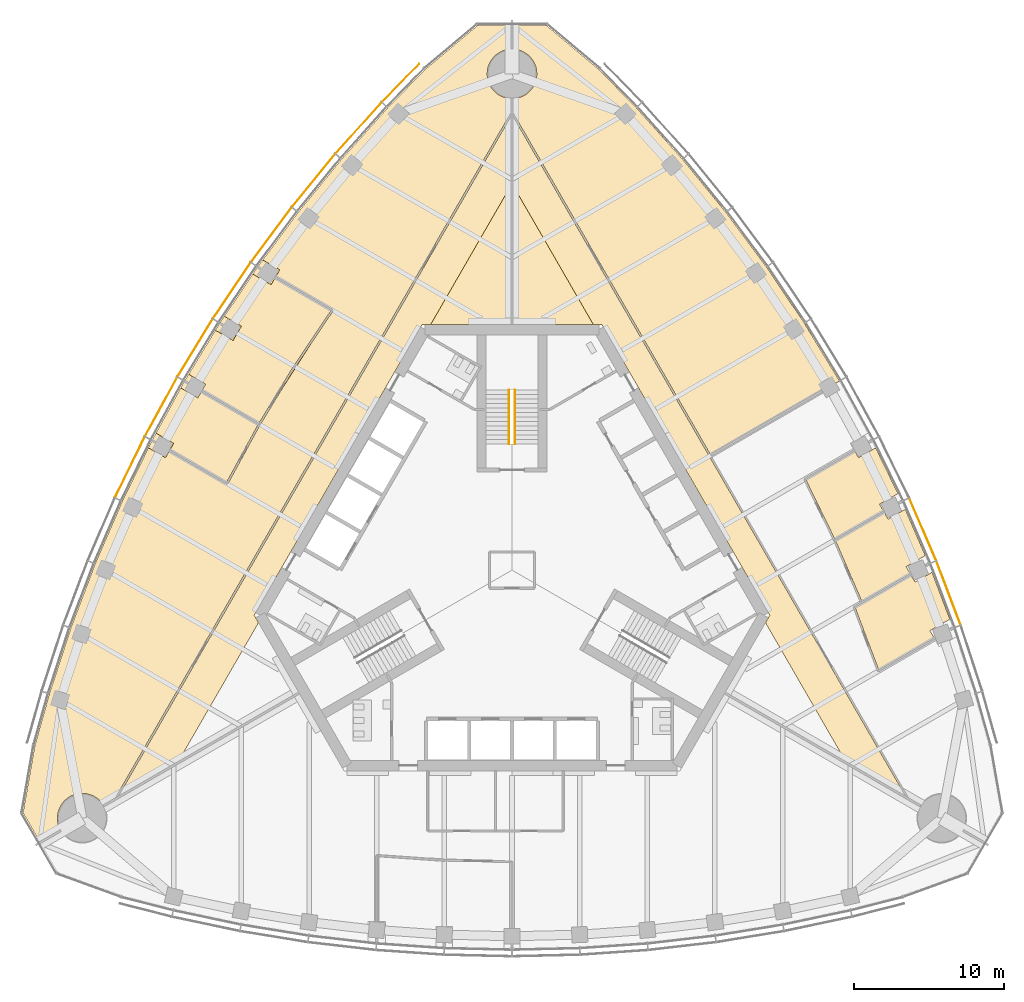
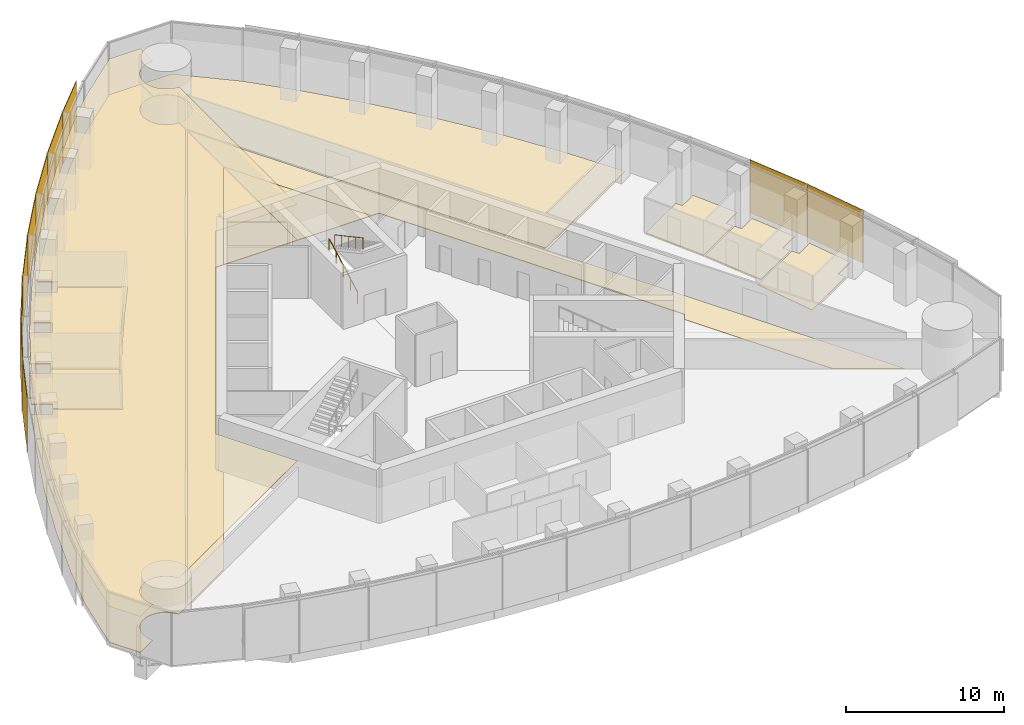
# One storey, part 16 of 19: 12 coverings, 10 shading devices, 2 railings.
"""IFC4 building model written with IfcOpenShell, lengths in metres."""

from ifc_helpers import new_model, si_unit, direction, frame, origin, origin_2d, place, context, subcontext, project, spatial, polyline, rectangle, circle, outline, extrude, material, layer, layer_set, type_object, element, save


model = new_model("IFC4")

# Units and contexts
model_context = context("Model", 3, precision=1e-05, world=origin(), true_north=direction((0.0, 1.0)))
body_context = subcontext(model_context, "Body", "Model", "MODEL_VIEW")
ifc_project = project(units=[si_unit("LENGTHUNIT", "METRE"), si_unit("AREAUNIT", "SQUARE_METRE"), si_unit("VOLUMEUNIT", "CUBIC_METRE"), si_unit("PLANEANGLEUNIT", "RADIAN"), si_unit("MASSUNIT", "GRAM", prefix="KILO")], contexts=[model_context])

# Site, building, storey
site_placement = place(None, origin())
site = spatial("IfcSite", under=ifc_project, at=site_placement, CompositionType="ELEMENT")
building_placement = place(site_placement, origin())
building = spatial("IfcBuilding", under=site, at=building_placement, Name="Trefoil Bronze Tower", CompositionType="ELEMENT")
storey_placement = place(building_placement, frame((0.0, 0.0, 240.10009765625)))
storey = spatial("IfcBuildingStorey", under=building, at=storey_placement, Name="L55", CompositionType="ELEMENT", Elevation=240.10009765625)

# Shading devices
ifc_material_1 = material(Name="Perforated bronze sheet", Category="bronze")
ifc_layer_1 = layer(ifc_material_1, 0.0400390625)
ifc_layer_set_1 = layer_set([ifc_layer_1], Name="Bronze solar screen panel")
shading_device_type = type_object("IfcShadingDeviceType", Name="Bronze solar screen panel", PredefinedType="SHUTTER", material=ifc_layer_set_1)
shading_device_1_placement = place(storey_placement, frame((29.0341796875, -1.52392578125, 0.0498046875), z_axis=(0.0, 0.0, 1.0), x_axis=(-0.354233936517, 0.935156841508, 0.0)))
element("IfcShadingDevice", 1, at=shading_device_1_placement, inside=storey, type_object=shading_device_type, Name="Solar screen CW-A L55 F2 bay 3", PredefinedType="SHUTTER", context=body_context, shape_type="SweptSolid", body=[
    extrude(rectangle(XDim=4.529296875, YDim=0.0400390625, at=origin_2d()), origin(), (0.0, 0.0, 1.0), 4.10009765625),
])
shading_device_2_placement = place(storey_placement, frame((27.317626953125, 2.709716796875, 0.0498046875), z_axis=(0.0, 0.0, 1.0), x_axis=(-0.397220305764, 0.917723285467, 0.0)))
element("IfcShadingDevice", 2, at=shading_device_2_placement, inside=storey, type_object=shading_device_type, Name="Solar screen CW-A L55 F2 bay 4", PredefinedType="SHUTTER", context=body_context, shape_type="SweptSolid", body=[
    extrude(rectangle(XDim=4.5, YDim=0.0400390625, at=origin_2d()), origin(), (0.0, 0.0, 1.0), 4.10009765625),
])
shading_device_3_placement = place(storey_placement, frame((-7.40478515625, 32.40380859375, 0.0498046875), z_axis=(0.0, 0.0, 1.0), x_axis=(-0.698651812425, -0.715461840349, 0.0)))
element("IfcShadingDevice", 3, at=shading_device_3_placement, inside=storey, type_object=shading_device_type, Name="Solar screen CW-A L55 F3 bay 1", PredefinedType="SHUTTER", context=body_context, shape_type="SweptSolid", body=[
    extrude(rectangle(XDim=3.53369140625, YDim=0.0400390625, at=origin_2d()), origin(), (0.0, 0.0, 1.0), 4.10009765625),
])
shading_device_4_placement = place(storey_placement, frame((-10.20166015625, 29.401611328125, 0.0498046875), z_axis=(0.0, 0.0, 1.0), x_axis=(-0.668245744076, -0.743940606181, 0.0)))
element("IfcShadingDevice", 4, at=shading_device_4_placement, inside=storey, type_object=shading_device_type, Name="Solar screen CW-A L55 F3 bay 2", PredefinedType="SHUTTER", context=body_context, shape_type="SweptSolid", body=[
    extrude(rectangle(XDim=4.5693359375, YDim=0.0400390625, at=origin_2d()), origin(), (0.0, 0.0, 1.0), 4.10009765625),
])
shading_device_5_placement = place(storey_placement, frame((-13.197509765625, 25.90625, 0.0498046875), z_axis=(0.0, 0.0, 1.0), x_axis=(-0.63275261301, -0.774354008661, 0.0)))
element("IfcShadingDevice", 5, at=shading_device_5_placement, inside=storey, type_object=shading_device_type, Name="Solar screen CW-A L55 F3 bay 3", PredefinedType="SHUTTER", context=body_context, shape_type="SweptSolid", body=[
    extrude(rectangle(XDim=4.529296875, YDim=0.0400390625, at=origin_2d()), origin(), (0.0, 0.0, 1.0), 4.10009765625),
])
shading_device_6_placement = place(storey_placement, frame((-16.005615234375, 22.302734375, 0.0498046875), z_axis=(0.0, 0.0, 1.0), x_axis=(-0.596161525977, -0.802864518425, 0.0)))
element("IfcShadingDevice", 6, at=shading_device_6_placement, inside=storey, type_object=shading_device_type, Name="Solar screen CW-A L55 F3 bay 4", PredefinedType="SHUTTER", context=body_context, shape_type="SweptSolid", body=[
    extrude(rectangle(XDim=4.5, YDim=0.0400390625, at=origin_2d()), origin(), (0.0, 0.0, 1.0), 4.10009765625),
])
shading_device_7_placement = place(storey_placement, frame((-18.6298828125, 18.59326171875, 0.0498046875), z_axis=(0.0, 0.0, 1.0), x_axis=(-0.558493494706, -0.829508900718, 0.0)))
element("IfcShadingDevice", 7, at=shading_device_7_placement, inside=storey, type_object=shading_device_type, Name="Solar screen CW-A L55 F3 bay 5", PredefinedType="SHUTTER", context=body_context, shape_type="SweptSolid", body=[
    extrude(rectangle(XDim=4.480712890625, YDim=0.0400390625, at=origin_2d()), origin(), (0.0, 0.0, 1.0), 4.10009765625),
])
for number, where, z_axis, x_axis, name in (
    (8, (-21.07275390625, 14.77880859375, 0.0498046875), (0.0, 0.0, 1.0), (-0.519762112739, -0.854311035959, 0.0), "Solar screen CW-A L55 F3 bay 6"),
    (9, (-23.3349609375, 10.860107421875, 0.0498046875), (0.0, 0.0, 1.0), (-0.479974003504, -0.877282711536, 0.0), "Solar screen CW-A L55 F3 bay 7"),
):
    element("IfcShadingDevice", number, at=place(storey_placement, frame(where, z_axis=z_axis, x_axis=x_axis)), inside=storey, type_object=shading_device_type, Name=name, PredefinedType="SHUTTER", context=body_context, shape_type="SweptSolid", body=[
        extrude(rectangle(XDim=4.47119140625, YDim=0.0400390625, at=origin_2d()), origin(), (0.0, 0.0, 1.0), 4.10009765625),
    ])
shading_device_8_placement = place(storey_placement, frame((-25.4169921875, 6.83740234375, 0.0498046875), z_axis=(0.0, 0.0, 1.0), x_axis=(-0.439129033334, -0.898424004623, 0.0)))
element("IfcShadingDevice", 10, at=shading_device_8_placement, inside=storey, type_object=shading_device_type, Name="Solar screen CW-A L55 F3 bay 8", PredefinedType="SHUTTER", context=body_context, shape_type="SweptSolid", body=[
    extrude(rectangle(XDim=4.480712890625, YDim=0.0400390625, at=origin_2d()), origin(), (0.0, 0.0, 1.0), 4.10009765625),
])

# Railings
ifc_material_2 = material(Name="Steel handrail", Category="steel")
railing_type = type_object("IfcRailingType", Name="Handrail 900", PredefinedType="HANDRAIL", material=ifc_material_2)
railing_1_placement = place(storey_placement, frame((-0.199951171875, 8.389892578125, 0.161376953125)))
element("IfcRailing", 11, at=railing_1_placement, inside=storey, type_object=railing_type, Name="Handrail ST2 flight 1 L55", PredefinedType="HANDRAIL", context=body_context, shape_type="SweptSolid", body=[
    extrude(circle(Radius=0.02392578125, at=origin_2d()), frame((0.0, 0.0, 0.8759765625), z_axis=(0.0, 0.880474934443, 0.474092701714), x_axis=(-1.0, 0.0, 0.0)), (0.0, 0.0, 1.0), 4.0888671875),
    extrude(circle(Radius=0.02099609375, at=origin_2d()), origin(), (0.0, 0.0, 1.0), 0.851806640625),
    extrude(circle(Radius=0.02099609375, at=origin_2d()), frame((0.0, 0.89990234375, 0.484619140625)), (0.0, 0.0, 1.0), 0.851806640625),
    extrude(circle(Radius=0.02099609375, at=origin_2d()), frame((0.0, 1.800048828125, 0.96923828125)), (0.0, 0.0, 1.0), 0.851806640625),
    extrude(circle(Radius=0.02099609375, at=origin_2d()), frame((0.0, 2.7001953125, 1.453857421875)), (0.0, 0.0, 1.0), 0.851806640625),
    extrude(circle(Radius=0.02099609375, at=origin_2d()), frame((0.0, 3.60009765625, 1.9384765625)), (0.0, 0.0, 1.0), 0.851806640625),
])
railing_2_placement = place(storey_placement, frame((0.199951171875, 11.989990234375, 2.261474609375)))
element("IfcRailing", 12, at=railing_2_placement, inside=storey, type_object=railing_type, Name="Handrail ST2 flight 2 L55", PredefinedType="HANDRAIL", context=body_context, shape_type="SweptSolid", body=[
    extrude(circle(Radius=0.02392578125, at=origin_2d()), frame((0.0, 0.0, 0.8759765625), z_axis=(0.0, -0.880474934443, 0.474092701714), x_axis=(1.0, 0.0, 0.0)), (0.0, 0.0, 1.0), 4.0888671875),
    extrude(circle(Radius=0.02099609375, at=origin_2d()), origin(), (0.0, 0.0, 1.0), 0.851806640625),
    extrude(circle(Radius=0.02099609375, at=origin_2d()), frame((0.0, -0.89990234375, 0.484619140625)), (0.0, 0.0, 1.0), 0.851806640625),
    extrude(circle(Radius=0.02099609375, at=origin_2d()), frame((0.0, -1.800048828125, 0.96923828125)), (0.0, 0.0, 1.0), 0.851806640625),
    extrude(circle(Radius=0.02099609375, at=origin_2d()), frame((0.0, -2.7001953125, 1.453857421875)), (0.0, 0.0, 1.0), 0.851806640625),
    extrude(circle(Radius=0.02099609375, at=origin_2d()), frame((0.0, -3.60009765625, 1.9384765625)), (0.0, 0.0, 1.0), 0.851806640625),
])

# Coverings
ifc_material_3 = material(Name="Acoustic ceiling panels", Category="mineral fibre")
ifc_layer_2 = layer(ifc_material_3, 0.02001953125)
ifc_layer_set_2 = layer_set([ifc_layer_2], Name="Office ceiling 20")
covering_type_1 = type_object("IfcCoveringType", Name="Office ceiling 20", PredefinedType="CEILING", material=ifc_layer_set_2)
covering_1_placement = place(storey_placement, frame((0.0, 0.0, 2.89990234375)))
element("IfcCovering", 13, at=covering_1_placement, inside=storey, type_object=covering_type_1, Name="Ceiling L55 Studio F3", PredefinedType="CEILING", context=body_context, shape_type="SweptSolid", body=[
    extrude(outline(polyline([(-30.76318359375, -8.219482421875), (-29.3369140625, -3.846923828125), (-27.7216796875, 0.416748046875), (-25.92236328125, 4.573974609375), (-23.94140625, 8.62646484375), (-21.781005859375, 12.5751953125), (-19.44140625, 16.420654296875), (-16.92236328125, 20.162353515625), (-14.2216796875, 23.79931640625), (-11.3369140625, 27.329833984375), (-8.26318359375, 30.751708984375), (-5.7734375, 33.30126953125), (-2.280029296875, 36.232666015625), (-0.013671875, 36.232666015625), (-0.012939453125, 34.649658203125), (-0.0810546875, 34.64794921875), (-0.16162109375, 34.64208984375), (-0.2421875, 34.632080078125), (-0.322021484375, 34.618408203125), (-0.40087890625, 34.6005859375), (-0.47900390625, 34.5791015625), (-0.555908203125, 34.553466796875), (-0.63134765625, 34.5244140625), (-0.70556640625, 34.49169921875), (-0.77783203125, 34.455078125), (-0.848388671875, 34.415283203125), (-0.916748046875, 34.371826171875), (-0.98291015625, 34.3251953125), (-1.046630859375, 34.275390625), (-1.108154296875, 34.22265625), (-1.166748046875, 34.166748046875), (-1.22265625, 34.108154296875), (-1.275390625, 34.046630859375), (-1.3251953125, 33.98291015625), (-1.371826171875, 33.916748046875), (-1.415283203125, 33.848388671875), (-1.455078125, 33.77783203125), (-1.49169921875, 33.70556640625), (-1.5244140625, 33.63134765625), (-1.553466796875, 33.555908203125), (-1.5791015625, 33.47900390625), (-1.6005859375, 33.40087890625), (-1.618408203125, 33.322021484375), (-1.632080078125, 33.2421875), (-1.64208984375, 33.16162109375), (-1.64794921875, 33.0810546875), (-1.64990234375, 33.0), (-1.64794921875, 32.9189453125), (-1.64208984375, 32.83837890625), (-1.632080078125, 32.7578125), (-1.618408203125, 32.677978515625), (-1.6005859375, 32.59912109375), (-1.5791015625, 32.52099609375), (-1.553466796875, 32.444091796875), (-1.5244140625, 32.36865234375), (-1.49169921875, 32.29443359375), (-1.455078125, 32.22216796875), (-1.415283203125, 32.151611328125), (-1.371826171875, 32.083251953125), (-1.3251953125, 32.01708984375), (-1.275390625, 31.953369140625), (-1.22265625, 31.891845703125), (-1.166748046875, 31.833251953125), (-1.108154296875, 31.77734375), (-1.046630859375, 31.724609375), (-0.98291015625, 31.6748046875), (-0.916748046875, 31.628173828125), (-0.848388671875, 31.584716796875), (-0.77783203125, 31.544921875), (-0.70556640625, 31.50830078125), (-0.63134765625, 31.4755859375), (-0.555908203125, 31.446533203125), (-0.47900390625, 31.4208984375), (-0.40087890625, 31.3994140625), (-0.322021484375, 31.381591796875), (-0.2421875, 31.367919921875), (-0.16162109375, 31.35791015625), (-0.0810546875, 31.35205078125), (-0.01171875, 31.350341796875), (-0.006103515625, 16.35009765625), (-5.9755859375, 16.35009765625), (-17.147216796875, -3.0), (-14.16259765625, -8.169677734375), (-27.156005859375, -15.6650390625), (-27.206787109375, -15.583251953125), (-27.25341796875, -15.51708984375), (-27.303466796875, -15.453369140625), (-27.356201171875, -15.391845703125), (-27.412109375, -15.333251953125), (-27.470703125, -15.27734375), (-27.531982421875, -15.224609375), (-27.595947265625, -15.1748046875), (-27.662109375, -15.128173828125), (-27.730712890625, -15.084716796875), (-27.801025390625, -15.044921875), (-27.873291015625, -15.00830078125), (-27.947509765625, -14.9755859375), (-28.02294921875, -14.946533203125), (-28.099853515625, -14.9208984375), (-28.177978515625, -14.8994140625), (-28.2568359375, -14.881591796875), (-28.336669921875, -14.867919921875), (-28.4169921875, -14.85791015625), (-28.497802734375, -14.85205078125), (-28.578857421875, -14.85009765625), (-28.659912109375, -14.85205078125), (-28.740478515625, -14.85791015625), (-28.82080078125, -14.867919921875), (-28.900634765625, -14.881591796875), (-28.979736328125, -14.8994140625), (-29.057861328125, -14.9208984375), (-29.134765625, -14.946533203125), (-29.210205078125, -14.9755859375), (-29.2841796875, -15.00830078125), (-29.356689453125, -15.044921875), (-29.427001953125, -15.084716796875), (-29.49560546875, -15.128173828125), (-29.561767578125, -15.1748046875), (-29.62548828125, -15.224609375), (-29.68701171875, -15.27734375), (-29.74560546875, -15.333251953125), (-29.801513671875, -15.391845703125), (-29.854248046875, -15.453369140625), (-29.904052734375, -15.51708984375), (-29.95068359375, -15.583251953125), (-29.994140625, -15.651611328125), (-30.033935546875, -15.72216796875), (-30.0703125, -15.79443359375), (-30.103271484375, -15.86865234375), (-30.13232421875, -15.944091796875), (-30.15771484375, -16.02099609375), (-30.179443359375, -16.09912109375), (-30.197021484375, -16.177978515625), (-30.2109375, -16.2578125), (-30.220947265625, -16.33837890625), (-30.226806640625, -16.4189453125), (-30.228759765625, -16.5), (-30.226806640625, -16.5810546875), (-30.220947265625, -16.66162109375), (-30.2109375, -16.7421875), (-30.197021484375, -16.822021484375), (-30.179443359375, -16.90087890625), (-30.15771484375, -16.97900390625), (-30.13232421875, -17.055908203125), (-30.103271484375, -17.13134765625), (-30.0703125, -17.20556640625), (-30.033935546875, -17.27783203125), (-30.013916015625, -17.3134765625), (-31.385009765625, -18.1044921875), (-32.518310546875, -16.1416015625), (-31.7265625, -11.650634765625), (-30.76318359375, -8.219482421875)])), origin(), (0.0, 0.0, 1.0), 0.02001953125),
])
ifc_material_4 = material(Name="Raised access floor panels", Category="steel")
ifc_layer_3 = layer(ifc_material_4, 0.050048828125)
ifc_layer_set_3 = layer_set([ifc_layer_3], Name="Raised access floor 150")
covering_type_2 = type_object("IfcCoveringType", Name="Raised access floor 150", PredefinedType="FLOORING", material=ifc_layer_set_3)
covering_2_placement = place(storey_placement, frame((0.0, 0.0, 0.099853515625)))
element("IfcCovering", 14, at=covering_2_placement, inside=storey, type_object=covering_type_2, Name="Raised floor L55 Project room F2", PredefinedType="FLOORING", context=body_context, shape_type="SweptSolid", body=[
    extrude(outline(polyline([(24.701171875, 3.938232421875), (21.46630859375, 2.070556640625), (19.538330078125, 6.014892578125), (22.796875, 7.896240234375), (22.766845703125, 7.9482421875), (22.77197265625, 7.951416015625), (23.046875, 7.475341796875), (24.18359375, 8.131591796875), (25.67041015625, 5.089111328125), (24.445068359375, 4.381591796875), (24.701171875, 3.938232421875)])), origin(), (0.0, 0.0, 1.0), 0.050048828125),
])
covering_3_placement = place(storey_placement, frame((0.0, 0.0, 0.099853515625)))
element("IfcCovering", 15, at=covering_3_placement, inside=storey, type_object=covering_type_2, Name="Raised floor L55 Project room F2", PredefinedType="FLOORING", context=body_context, shape_type="SweptSolid", body=[
    extrude(outline(polyline([(26.478271484375, -0.23193359375), (23.268310546875, -2.085205078125), (21.51708984375, 1.961181640625), (24.760986328125, 3.834228515625), (25.01708984375, 3.390625), (26.151123046875, 4.04541015625), (27.484375, 0.965087890625), (26.21142578125, 0.22998046875), (26.478271484375, -0.23193359375)])), origin(), (0.0, 0.0, 1.0), 0.050048828125),
])
covering_4_placement = place(storey_placement, frame((0.0, 0.0, 0.099853515625)))
element("IfcCovering", 16, at=covering_4_placement, inside=storey, type_object=covering_type_2, Name="Raised floor L55 Meeting room F2", PredefinedType="FLOORING", context=body_context, shape_type="SweptSolid", body=[
    extrude(outline(polyline([(28.070556640625, -4.5087890625), (24.38818359375, -6.634765625), (22.81640625, -2.48486328125), (26.5380859375, -0.3359375), (26.804931640625, -0.7978515625), (27.934814453125, -0.1455078125), (29.116455078125, -3.265380859375), (27.793701171875, -4.029296875), (28.070556640625, -4.5087890625)])), origin(), (0.0, 0.0, 1.0), 0.050048828125),
])
covering_5_placement = place(storey_placement, frame((0.0, 0.0, 0.099853515625)))
element("IfcCovering", 17, at=covering_5_placement, inside=storey, type_object=covering_type_2, Name="Raised floor L55 Corridor F2", PredefinedType="FLOORING", context=body_context, shape_type="SweptSolid", body=[
    extrude(outline(polyline([(0.011474609375, 30.2802734375), (26.229248046875, -15.13037109375), (22.247314453125, -12.833251953125), (16.858642578125, -3.5), (17.147216796875, -3.0), (5.9755859375, 16.35009765625), (5.398193359375, 16.35009765625), (0.009521484375, 25.683349609375), (0.011474609375, 30.2802734375)])), origin(), (0.0, 0.0, 1.0), 0.050048828125),
])
covering_6_placement = place(storey_placement, frame((0.0, 0.0, 0.099853515625)))
element("IfcCovering", 18, at=covering_6_placement, inside=storey, type_object=covering_type_2, Name="Raised floor L55 Studio F2", PredefinedType="FLOORING", context=body_context, shape_type="SweptSolid", body=[
    extrude(outline(polyline([(11.3369140625, 27.329833984375), (14.2216796875, 23.79931640625), (16.92236328125, 20.162353515625), (19.44140625, 16.420654296875), (21.780517578125, 12.576171875), (20.607177734375, 11.898681640625), (20.570068359375, 11.962890625), (13.186767578125, 7.699951171875), (0.068359375, 30.421630859375), (0.011474609375, 30.388671875), (0.01171875, 31.350341796875), (0.0810546875, 31.35205078125), (0.16162109375, 31.35791015625), (0.2421875, 31.367919921875), (0.322021484375, 31.381591796875), (0.40087890625, 31.3994140625), (0.47900390625, 31.4208984375), (0.555908203125, 31.446533203125), (0.63134765625, 31.4755859375), (0.70556640625, 31.50830078125), (0.77783203125, 31.544921875), (0.848388671875, 31.584716796875), (0.916748046875, 31.628173828125), (0.98291015625, 31.6748046875), (1.046630859375, 31.724609375), (1.108154296875, 31.77734375), (1.166748046875, 31.833251953125), (1.22265625, 31.891845703125), (1.275390625, 31.953369140625), (1.3251953125, 32.01708984375), (1.371826171875, 32.083251953125), (1.415283203125, 32.151611328125), (1.455078125, 32.22216796875), (1.49169921875, 32.29443359375), (1.5244140625, 32.36865234375), (1.553466796875, 32.444091796875), (1.5791015625, 32.52099609375), (1.6005859375, 32.59912109375), (1.618408203125, 32.677978515625), (1.632080078125, 32.7578125), (1.64208984375, 32.83837890625), (1.64794921875, 32.9189453125), (1.64990234375, 33.0), (1.64794921875, 33.0810546875), (1.64208984375, 33.16162109375), (1.632080078125, 33.2421875), (1.618408203125, 33.322021484375), (1.6005859375, 33.40087890625), (1.5791015625, 33.47900390625), (1.553466796875, 33.555908203125), (1.5244140625, 33.63134765625), (1.49169921875, 33.70556640625), (1.455078125, 33.77783203125), (1.415283203125, 33.848388671875), (1.371826171875, 33.916748046875), (1.3251953125, 33.98291015625), (1.275390625, 34.046630859375), (1.22265625, 34.108154296875), (1.166748046875, 34.166748046875), (1.108154296875, 34.22265625), (1.046630859375, 34.275390625), (0.98291015625, 34.3251953125), (0.916748046875, 34.371826171875), (0.848388671875, 34.415283203125), (0.77783203125, 34.455078125), (0.70556640625, 34.49169921875), (0.63134765625, 34.5244140625), (0.555908203125, 34.553466796875), (0.47900390625, 34.5791015625), (0.40087890625, 34.6005859375), (0.322021484375, 34.618408203125), (0.2421875, 34.632080078125), (0.16162109375, 34.64208984375), (0.0810546875, 34.64794921875), (0.012939453125, 34.649658203125), (0.013671875, 36.232666015625), (2.280029296875, 36.232666015625), (5.7734375, 33.30126953125), (8.26318359375, 30.751708984375), (11.3369140625, 27.329833984375)])), origin(), (0.0, 0.0, 1.0), 0.050048828125),
])
covering_7_placement = place(storey_placement, frame((0.0, 0.0, 0.099853515625)))
element("IfcCovering", 19, at=covering_7_placement, inside=storey, type_object=covering_type_2, Name="Raised floor L55 Studio F2", PredefinedType="FLOORING", context=body_context, shape_type="SweptSolid", body=[
    extrude(outline(polyline([(0.009521484375, 25.683349609375), (5.398193359375, 16.35009765625), (0.006103515625, 16.35009765625), (0.009521484375, 25.683349609375)])), origin(), (0.0, 0.0, 1.0), 0.050048828125),
])
covering_8_placement = place(storey_placement, frame((0.0, 0.0, 0.099853515625)))
element("IfcCovering", 20, at=covering_8_placement, inside=storey, type_object=covering_type_2, Name="Raised floor L55 Prototyping room F3", PredefinedType="FLOORING", context=body_context, shape_type="SweptSolid", body=[
    extrude(outline(polyline([(-19.727294921875, 15.951171875), (-18.546875, 15.26953125), (-17.997314453125, 16.221435546875), (-19.1337890625, 16.877685546875), (-17.24267578125, 19.686767578125), (-16.01708984375, 18.979248046875), (-15.760986328125, 19.422607421875), (-12.0283203125, 17.267578125), (-14.51171875, 13.5791015625), (-14.4619140625, 13.545654296875), (-14.51318359375, 13.576904296875), (-16.822265625, 9.781494140625), (-20.57763671875, 11.94970703125), (-20.607666015625, 11.897705078125), (-20.6328125, 11.912353515625), (-20.36962890625, 12.367919921875), (-21.507568359375, 13.02490234375), (-19.727294921875, 15.951171875)])), origin(), (0.0, 0.0, 1.0), 0.050048828125),
])
covering_9_placement = place(storey_placement, frame((0.0, 0.0, 0.099853515625)))
element("IfcCovering", 21, at=covering_9_placement, inside=storey, type_object=covering_type_2, Name="Raised floor L55 Meeting room F3", PredefinedType="FLOORING", context=body_context, shape_type="SweptSolid", body=[
    extrude(outline(polyline([(-20.607666015625, 11.897705078125), (-20.6376953125, 11.845947265625), (-16.882080078125, 9.677734375), (-18.985107421875, 5.834228515625), (-22.73681640625, 8.000244140625), (-22.766845703125, 7.9482421875), (-22.77197265625, 7.951416015625), (-22.497314453125, 8.42724609375), (-23.677734375, 9.10888671875), (-22.03369140625, 12.11376953125), (-20.895751953125, 11.456787109375), (-20.6328125, 11.912353515625), (-20.607666015625, 11.897705078125)])), origin(), (0.0, 0.0, 1.0), 0.050048828125),
])
covering_10_placement = place(storey_placement, frame((0.0, 0.0, 0.099853515625)))
element("IfcCovering", 22, at=covering_10_placement, inside=storey, type_object=covering_type_2, Name="Raised floor L55 Corridor F3", PredefinedType="FLOORING", context=body_context, shape_type="SweptSolid", body=[
    extrude(outline(polyline([(-26.229248046875, -15.13037109375), (-0.011474609375, 30.2802734375), (-0.009521484375, 25.683349609375), (-5.398193359375, 16.35009765625), (-5.9755859375, 16.35009765625), (-17.147216796875, -3.0), (-16.858642578125, -3.5), (-22.247314453125, -12.833251953125), (-26.229248046875, -15.13037109375)])), origin(), (0.0, 0.0, 1.0), 0.050048828125),
])
covering_11_placement = place(storey_placement, frame((0.0, 0.0, 0.099853515625)))
element("IfcCovering", 23, at=covering_11_placement, inside=storey, type_object=covering_type_2, Name="Raised floor L55 Studio F3", PredefinedType="FLOORING", context=body_context, shape_type="SweptSolid", body=[
    extrude(outline(polyline([(-27.7216796875, 0.416748046875), (-25.92236328125, 4.573974609375), (-24.18359375, 8.131591796875), (-23.046875, 7.475341796875), (-22.77197265625, 7.951416015625), (-22.766845703125, 7.9482421875), (-22.796875, 7.896240234375), (-18.991943359375, 5.699462890625), (-18.9619140625, 5.75146484375), (-18.9091796875, 5.72265625), (-16.74951171875, 9.67041015625), (-15.395751953125, 11.895263671875), (-13.351318359375, 15.087890625), (-11.892822265625, 17.25390625), (-11.942626953125, 17.287353515625), (-11.91259765625, 17.33935546875), (-15.701171875, 19.526611328125), (-15.445068359375, 19.97021484375), (-16.5791015625, 20.624755859375), (-14.2216796875, 23.79931640625), (-11.3369140625, 27.329833984375), (-8.26318359375, 30.751708984375), (-5.7734375, 33.30126953125), (-2.280029296875, 36.232666015625), (-0.013671875, 36.232666015625), (-0.012939453125, 34.649658203125), (-0.0810546875, 34.64794921875), (-0.16162109375, 34.64208984375), (-0.2421875, 34.632080078125), (-0.322021484375, 34.618408203125), (-0.40087890625, 34.6005859375), (-0.47900390625, 34.5791015625), (-0.555908203125, 34.553466796875), (-0.63134765625, 34.5244140625), (-0.70556640625, 34.49169921875), (-0.77783203125, 34.455078125), (-0.848388671875, 34.415283203125), (-0.916748046875, 34.371826171875), (-0.98291015625, 34.3251953125), (-1.046630859375, 34.275390625), (-1.108154296875, 34.22265625), (-1.166748046875, 34.166748046875), (-1.22265625, 34.108154296875), (-1.275390625, 34.046630859375), (-1.3251953125, 33.98291015625), (-1.371826171875, 33.916748046875), (-1.415283203125, 33.848388671875), (-1.455078125, 33.77783203125), (-1.49169921875, 33.70556640625), (-1.5244140625, 33.63134765625), (-1.553466796875, 33.555908203125), (-1.5791015625, 33.47900390625), (-1.6005859375, 33.40087890625), (-1.618408203125, 33.322021484375), (-1.632080078125, 33.2421875), (-1.64208984375, 33.16162109375), (-1.64794921875, 33.0810546875), (-1.64990234375, 33.0), (-1.64794921875, 32.9189453125), (-1.64208984375, 32.83837890625), (-1.632080078125, 32.7578125), (-1.618408203125, 32.677978515625), (-1.6005859375, 32.59912109375), (-1.5791015625, 32.52099609375), (-1.553466796875, 32.444091796875), (-1.5244140625, 32.36865234375), (-1.49169921875, 32.29443359375), (-1.455078125, 32.22216796875), (-1.415283203125, 32.151611328125), (-1.371826171875, 32.083251953125), (-1.3251953125, 32.01708984375), (-1.275390625, 31.953369140625), (-1.22265625, 31.891845703125), (-1.166748046875, 31.833251953125), (-1.108154296875, 31.77734375), (-1.046630859375, 31.724609375), (-0.98291015625, 31.6748046875), (-0.916748046875, 31.628173828125), (-0.848388671875, 31.584716796875), (-0.77783203125, 31.544921875), (-0.70556640625, 31.50830078125), (-0.63134765625, 31.4755859375), (-0.555908203125, 31.446533203125), (-0.47900390625, 31.4208984375), (-0.40087890625, 31.3994140625), (-0.322021484375, 31.381591796875), (-0.2421875, 31.367919921875), (-0.16162109375, 31.35791015625), (-0.0810546875, 31.35205078125), (-0.01171875, 31.350341796875), (-0.011474609375, 30.388671875), (-0.068359375, 30.421630859375), (-26.380126953125, -15.151611328125), (-26.322998046875, -15.1845703125), (-27.156005859375, -15.6650390625), (-27.206787109375, -15.583251953125), (-27.25341796875, -15.51708984375), (-27.303466796875, -15.453369140625), (-27.356201171875, -15.391845703125), (-27.412109375, -15.333251953125), (-27.470703125, -15.27734375), (-27.531982421875, -15.224609375), (-27.595947265625, -15.1748046875), (-27.662109375, -15.128173828125), (-27.730712890625, -15.084716796875), (-27.801025390625, -15.044921875), (-27.873291015625, -15.00830078125), (-27.947509765625, -14.9755859375), (-28.02294921875, -14.946533203125), (-28.099853515625, -14.9208984375), (-28.177978515625, -14.8994140625), (-28.2568359375, -14.881591796875), (-28.336669921875, -14.867919921875), (-28.4169921875, -14.85791015625), (-28.497802734375, -14.85205078125), (-28.578857421875, -14.85009765625), (-28.659912109375, -14.85205078125), (-28.740478515625, -14.85791015625), (-28.82080078125, -14.867919921875), (-28.900634765625, -14.881591796875), (-28.979736328125, -14.8994140625), (-29.057861328125, -14.9208984375), (-29.134765625, -14.946533203125), (-29.210205078125, -14.9755859375), (-29.2841796875, -15.00830078125), (-29.356689453125, -15.044921875), (-29.427001953125, -15.084716796875), (-29.49560546875, -15.128173828125), (-29.561767578125, -15.1748046875), (-29.62548828125, -15.224609375), (-29.68701171875, -15.27734375), (-29.74560546875, -15.333251953125), (-29.801513671875, -15.391845703125), (-29.854248046875, -15.453369140625), (-29.904052734375, -15.51708984375), (-29.95068359375, -15.583251953125), (-29.994140625, -15.651611328125), (-30.033935546875, -15.72216796875), (-30.0703125, -15.79443359375), (-30.103271484375, -15.86865234375), (-30.13232421875, -15.944091796875), (-30.15771484375, -16.02099609375), (-30.179443359375, -16.09912109375), (-30.197021484375, -16.177978515625), (-30.2109375, -16.2578125), (-30.220947265625, -16.33837890625), (-30.226806640625, -16.4189453125), (-30.228759765625, -16.5), (-30.226806640625, -16.5810546875), (-30.220947265625, -16.66162109375), (-30.2109375, -16.7421875), (-30.197021484375, -16.822021484375), (-30.179443359375, -16.90087890625), (-30.15771484375, -16.97900390625), (-30.13232421875, -17.055908203125), (-30.103271484375, -17.13134765625), (-30.0703125, -17.20556640625), (-30.033935546875, -17.27783203125), (-30.013916015625, -17.3134765625), (-31.385009765625, -18.1044921875), (-32.518310546875, -16.1416015625), (-31.7265625, -11.650634765625), (-30.76318359375, -8.219482421875), (-29.3369140625, -3.846923828125), (-27.7216796875, 0.416748046875)])), origin(), (0.0, 0.0, 1.0), 0.050048828125),
])
covering_12_placement = place(storey_placement, frame((0.0, 0.0, 0.099853515625)))
element("IfcCovering", 24, at=covering_12_placement, inside=storey, type_object=covering_type_2, Name="Raised floor L55 Studio F3", PredefinedType="FLOORING", context=body_context, shape_type="SweptSolid", body=[
    extrude(outline(polyline([(-0.006103515625, 16.35009765625), (-5.398193359375, 16.35009765625), (-0.009521484375, 25.683349609375), (-0.006103515625, 16.35009765625)])), origin(), (0.0, 0.0, 1.0), 0.050048828125),
])

save(model, "model.ifc")
